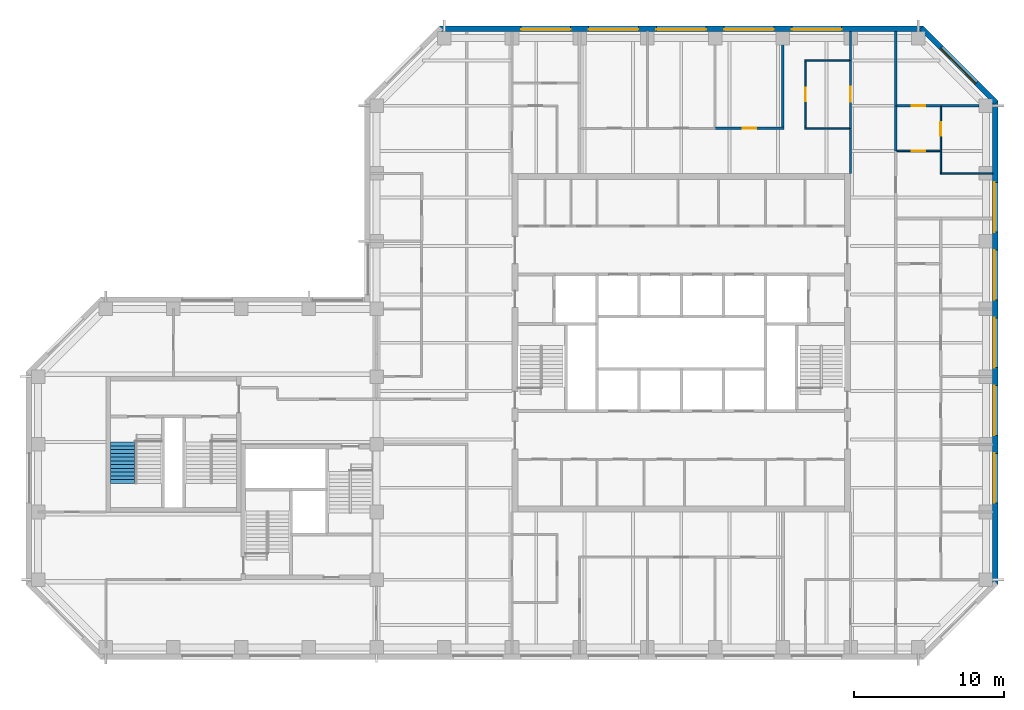
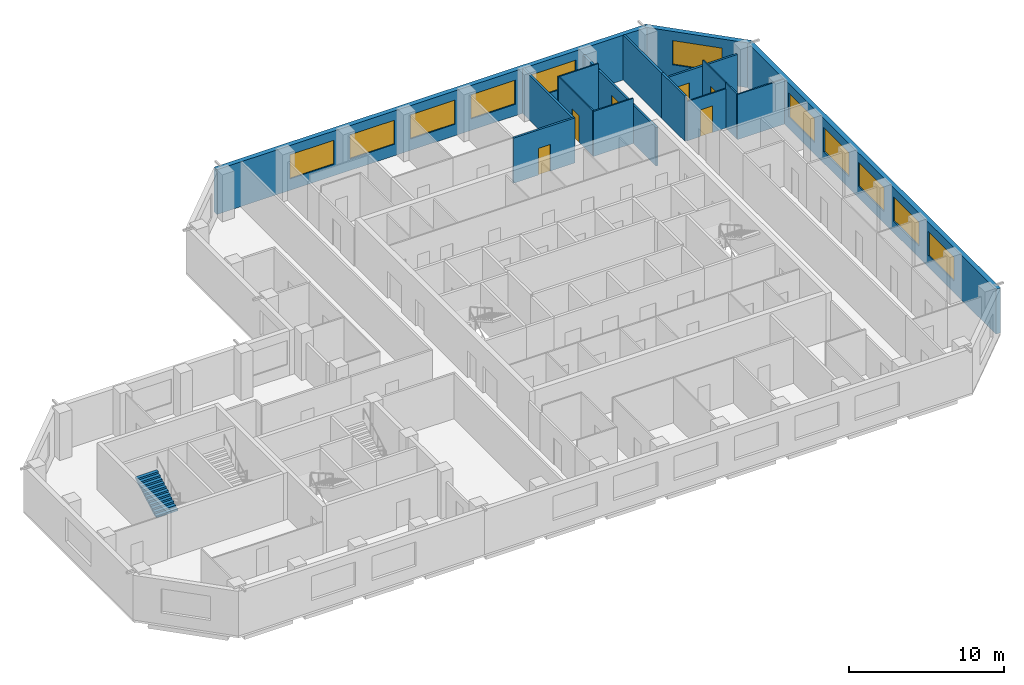
# One storey, part 8 of 10: 19 walls, 11 windows, 6 doors, 1 stair flight, 17 openings, 1 element without a shape of its own.
"""IFC4 building model written with IfcOpenShell, lengths in metres."""

from ifc_helpers import new_model, si_unit, direction, frame, frame_2d, origin, place, context, subcontext, project, spatial, polyline, rectangle, outline, extrude, material, layer, layer_set, constituent, constituent_set, type_object, element, fill, aggregate, save


model = new_model("IFC4")

# Units and contexts
model_context = context("Model", 3, precision=1e-05, world=origin(), true_north=direction((0.0, 1.0)))
body_context = subcontext(model_context, "Body", "Model", "MODEL_VIEW")
ifc_project = project(units=[si_unit("LENGTHUNIT", "METRE"), si_unit("AREAUNIT", "SQUARE_METRE"), si_unit("VOLUMEUNIT", "CUBIC_METRE"), si_unit("PLANEANGLEUNIT", "RADIAN"), si_unit("MASSUNIT", "GRAM", prefix="KILO")], contexts=[model_context])

# Site, building, storey
site_placement = place(None, origin())
site = spatial("IfcSite", under=ifc_project, at=site_placement, CompositionType="ELEMENT")
building_placement = place(site_placement, origin())
building = spatial("IfcBuilding", under=site, at=building_placement, Name="Quoin Convention Tower", CompositionType="ELEMENT")
storey_placement = place(building_placement, frame((0.0, 0.0, 184.699951171875)))
storey = spatial("IfcBuildingStorey", under=building, at=storey_placement, Name="L48", CompositionType="ELEMENT", Elevation=184.699951171875)

# Wall, opening, door
ifc_material_1 = material(Name="Plasterboard")
ifc_layer_1 = layer(ifc_material_1, 0.012451171875, Name="Finish")
ifc_material_2 = material(Name="Steel stud framing", Category="steel")
ifc_layer_2 = layer(ifc_material_2, 0.125, Name="Structure")
ifc_layer_3 = layer(ifc_material_1, 0.012451171875, Name="Finish")
ifc_layer_set_1 = layer_set([ifc_layer_1, ifc_layer_2, ifc_layer_3], Name="Steel stud framing")
wall_type_1 = type_object("IfcWallType", Name="Acoustic partition 150", PredefinedType="PARTITIONING", material=ifc_layer_set_1)
wall_1_placement = place(storey_placement, frame((58.5, 75.0, 0.0), z_axis=(0.0, 0.0, 1.0), x_axis=(1.0, 0.0, 0.0)))
wall_1 = element("IfcWall", 1, at=wall_1_placement, inside=storey, type_object=wall_type_1, Name="pw-L48-037", PredefinedType="PARTITIONING", context=body_context, shape_type="SweptSolid", body=[
    extrude(rectangle(XDim=4.574951171875, YDim=0.14990234375, at=frame_2d((2.28759765625, 0.0))), origin(), (0.0, 0.0, 1.0), 3.550048828125),
])
opening_1_placement = place(wall_1_placement, frame((1.85009765625, 0.0, 0.0)))
opening_1 = element("IfcOpeningElement", 2, at=opening_1_placement, cuts=wall_1, Name="Opening DOH6-11", PredefinedType="OPENING", context=body_context, shape_type="SweptSolid", body=[
    extrude(rectangle(XDim=0.89990234375, YDim=2.10009765625, at=frame_2d((0.449951171875, 1.050048828125))), frame((0.0, 0.0849609375, 0.0), z_axis=(0.0, -1.0, 0.0), x_axis=(1.0, 0.0, 0.0)), (0.0, 0.0, 1.0), 0.169921875),
])
ifc_material_3 = material(Name="Steel door leaf", Category="steel")
door_type_1 = type_object("IfcDoorType", Name="Office door 900 x 2100", OperationType="SINGLE_SWING_RIGHT", PredefinedType="DOOR", material=ifc_material_3)
door_1_placement = place(opening_1_placement, frame((0.89990234375, 0.0, 0.0), z_axis=(0.0, 0.0, 1.0), x_axis=(-1.0, 0.0, 0.0)))
door_1 = element("IfcDoor", 3, at=door_1_placement, inside=storey, type_object=door_type_1, Name="dr-L48-30", OperationType="SINGLE_SWING_LEFT", OverallHeight=2.10009765625, OverallWidth=0.89990234375, PredefinedType="DOOR", context=body_context, shape_type="SweptSolid", body=[
    extrude(rectangle(XDim=0.89990234375, YDim=2.10009765625, at=frame_2d((0.449951171875, 1.050048828125))), frame((0.0, 0.02490234375, 0.0), z_axis=(0.0, -1.0, 0.0), x_axis=(1.0, 0.0, 0.0)), (0.0, 0.0, 1.0), 0.050048828125),
])
fill(opening_1, door_1)

# Wall
wall_2_placement = place(storey_placement, frame((63.0, 75.074951171875, 0.0), z_axis=(0.0, 0.0, 1.0), x_axis=(0.0, 1.0, 0.0)))
element("IfcWall", 4, at=wall_2_placement, inside=storey, type_object=wall_type_1, Name="pw-L48-100", PredefinedType="PARTITIONING", context=body_context, shape_type="SweptSolid", body=[
    extrude(rectangle(XDim=6.375, YDim=0.14990234375, at=frame_2d((3.1875, 0.0))), origin(), (0.0, 0.0, 1.0), 3.550048828125),
])

# Wall, opening, door
ifc_layer_4 = layer(ifc_material_1, 0.012451171875, Name="Finish")
ifc_layer_5 = layer(ifc_material_2, 0.125, Name="Structure")
ifc_layer_6 = layer(ifc_material_1, 0.012451171875, Name="Finish")
ifc_layer_set_2 = layer_set([ifc_layer_4, ifc_layer_5, ifc_layer_6], Name="Steel stud framing")
wall_type_2 = type_object("IfcWallType", Name="Acoustic partition 150 under beam 454", PredefinedType="PARTITIONING", material=ifc_layer_set_2)
wall_3_placement = place(storey_placement, frame((70.574951171875, 76.5, 0.0), z_axis=(0.0, 0.0, 1.0), x_axis=(1.0, 0.0, 0.0)))
wall_3 = element("IfcWall", 5, at=wall_3_placement, inside=storey, type_object=wall_type_2, Name="pw-L48-040", PredefinedType="PARTITIONING", context=body_context, shape_type="SweptSolid", body=[
    extrude(rectangle(XDim=2.925048828125, YDim=0.14990234375, at=frame_2d((1.46240234375, 0.0))), origin(), (0.0, 0.0, 1.0), 3.095947265625),
])
opening_2_placement = place(wall_3_placement, frame((1.0, 0.0, 0.0)))
opening_2 = element("IfcOpeningElement", 6, at=opening_2_placement, cuts=wall_3, Name="Opening DOH6-13", PredefinedType="OPENING", context=body_context, shape_type="SweptSolid", body=[
    extrude(rectangle(XDim=0.89990234375, YDim=2.10009765625, at=frame_2d((0.449951171875, 1.050048828125))), frame((0.0, 0.0849609375, 0.0), z_axis=(0.0, -1.0, 0.0), x_axis=(1.0, 0.0, 0.0)), (0.0, 0.0, 1.0), 0.169921875),
])
door_2_placement = place(opening_2_placement, origin())
door_2 = element("IfcDoor", 7, at=door_2_placement, inside=storey, type_object=door_type_1, Name="dr-L48-42", OperationType="SINGLE_SWING_RIGHT", OverallHeight=2.10009765625, OverallWidth=0.89990234375, PredefinedType="DOOR", context=body_context, shape_type="SweptSolid", body=[
    extrude(rectangle(XDim=0.89990234375, YDim=2.10009765625, at=frame_2d((0.449951171875, 1.050048828125))), frame((0.0, 0.02490234375, 0.0), z_axis=(0.0, -1.0, 0.0), x_axis=(1.0, 0.0, 0.0)), (0.0, 0.0, 1.0), 0.050048828125),
])
fill(opening_2, door_2)

# Wall
wall_4_placement = place(storey_placement, frame((73.5, 76.5, 0.0), z_axis=(0.0, 0.0, 1.0), x_axis=(1.0, 0.0, 0.0)))
element("IfcWall", 8, at=wall_4_placement, inside=storey, type_object=wall_type_2, Name="pw-L48-041", PredefinedType="PARTITIONING", context=body_context, shape_type="SweptSolid", body=[
    extrude(rectangle(XDim=2.550048828125, YDim=0.14990234375, at=frame_2d((1.27490234375, 0.0))), origin(), (0.0, 0.0, 1.0), 3.095947265625),
])

# Wall, openings, windows
ifc_material_4 = material(Name="Brick masonry", Category="masonry")
ifc_layer_7 = layer(ifc_material_4, 0.35009765625)
ifc_layer_set_3 = layer_set([ifc_layer_7], Name="Brick masonry")
wall_type_3 = type_object("IfcWallType", Name="Brick facade wall", PredefinedType="STANDARD", material=ifc_layer_set_3)
wall_5_placement = place(storey_placement, frame((77.125, 44.668701171875, 0.0), z_axis=(0.0, 0.0, 1.0), x_axis=(0.0, 1.0, 0.0)))
wall_5 = element("IfcWall", 9, at=wall_5_placement, inside=storey, type_object=wall_type_3, Name="fw-L48-76500_45000", PredefinedType="STANDARD", context=body_context, shape_type="SweptSolid", body=[
    extrude(rectangle(XDim=32.16259765625, YDim=0.35009765625, at=frame_2d((16.081298828125, 0.0))), origin(), (0.0, 0.0, 1.0), 3.525146484375),
])
opening_3_placement = place(wall_5_placement, frame((5.431396484375, 0.0, 0.89990234375)))
opening_3 = element("IfcOpeningElement", 10, at=opening_3_placement, cuts=wall_5, Name="Opening W-02", PredefinedType="OPENING", context=body_context, shape_type="SweptSolid", body=[
    extrude(rectangle(XDim=3.300048828125, YDim=1.89990234375, at=frame_2d((1.64990234375, 0.949951171875))), frame((0.0, 0.18505859375, 0.0), z_axis=(0.0, -1.0, 0.0), x_axis=(1.0, 0.0, 0.0)), (0.0, 0.0, 1.0), 0.3701171875),
])
opening_4_placement = place(wall_5_placement, frame((9.931396484375, 0.0, 0.89990234375)))
opening_4 = element("IfcOpeningElement", 11, at=opening_4_placement, cuts=wall_5, Name="Opening W-02", PredefinedType="OPENING", context=body_context, shape_type="SweptSolid", body=[
    extrude(rectangle(XDim=3.300048828125, YDim=1.89990234375, at=frame_2d((1.64990234375, 0.949951171875))), frame((0.0, 0.18505859375, 0.0), z_axis=(0.0, -1.0, 0.0), x_axis=(1.0, 0.0, 0.0)), (0.0, 0.0, 1.0), 0.3701171875),
])
opening_5_placement = place(wall_5_placement, frame((14.431396484375, 0.0, 0.89990234375)))
opening_5 = element("IfcOpeningElement", 12, at=opening_5_placement, cuts=wall_5, Name="Opening W-02", PredefinedType="OPENING", context=body_context, shape_type="SweptSolid", body=[
    extrude(rectangle(XDim=3.300048828125, YDim=1.89990234375, at=frame_2d((1.64990234375, 0.949951171875))), frame((0.0, 0.18505859375, 0.0), z_axis=(0.0, -1.0, 0.0), x_axis=(1.0, 0.0, 0.0)), (0.0, 0.0, 1.0), 0.3701171875),
])
opening_6_placement = place(wall_5_placement, frame((18.931396484375, 0.0, 0.89990234375)))
opening_6 = element("IfcOpeningElement", 13, at=opening_6_placement, cuts=wall_5, Name="Opening W-02", PredefinedType="OPENING", context=body_context, shape_type="SweptSolid", body=[
    extrude(rectangle(XDim=3.300048828125, YDim=1.89990234375, at=frame_2d((1.64990234375, 0.949951171875))), frame((0.0, 0.18505859375, 0.0), z_axis=(0.0, -1.0, 0.0), x_axis=(1.0, 0.0, 0.0)), (0.0, 0.0, 1.0), 0.3701171875),
])
opening_7_placement = place(wall_5_placement, frame((23.431396484375, 0.0, 0.89990234375)))
opening_7 = element("IfcOpeningElement", 14, at=opening_7_placement, cuts=wall_5, Name="Opening W-02", PredefinedType="OPENING", context=body_context, shape_type="SweptSolid", body=[
    extrude(rectangle(XDim=3.300048828125, YDim=1.89990234375, at=frame_2d((1.64990234375, 0.949951171875))), frame((0.0, 0.18505859375, 0.0), z_axis=(0.0, -1.0, 0.0), x_axis=(1.0, 0.0, 0.0)), (0.0, 0.0, 1.0), 0.3701171875),
])
ifc_material_5 = material(Name="Aluminium", Category="aluminium")
ifc_constituent_1 = constituent(ifc_material_5, Name="Frame")
ifc_material_6 = material(Name="Insulated glass", Category="glass")
ifc_constituent_2 = constituent(ifc_material_6, Name="Glazing")
ifc_constituent_set = constituent_set(constituents=[ifc_constituent_1, ifc_constituent_2], Name="Aluminium")
window_type = type_object("IfcWindowType", Name="Office window", PartitioningType="DOUBLE_PANEL_VERTICAL", PredefinedType="WINDOW", material=ifc_constituent_set)
window_1_placement = place(opening_3_placement, origin())
window_1 = element("IfcWindow", 15, at=window_1_placement, inside=storey, type_object=window_type, Name="win-L48-77125_51750", OverallHeight=1.89990234375, OverallWidth=3.300048828125, PartitioningType="SINGLE_PANEL", PredefinedType="WINDOW", context=body_context, shape_type="SweptSolid", body=[
    extrude(rectangle(XDim=3.300048828125, YDim=1.89990234375, at=frame_2d((1.64990234375, 0.949951171875))), frame((0.0, 0.0849609375, 0.0), z_axis=(0.0, -1.0, 0.0), x_axis=(1.0, 0.0, 0.0)), (0.0, 0.0, 1.0), 0.06005859375),
])
fill(opening_3, window_1)
window_2_placement = place(opening_4_placement, origin())
window_2 = element("IfcWindow", 16, at=window_2_placement, inside=storey, type_object=window_type, Name="win-L48-77125_56250", OverallHeight=1.89990234375, OverallWidth=3.300048828125, PartitioningType="SINGLE_PANEL", PredefinedType="WINDOW", context=body_context, shape_type="SweptSolid", body=[
    extrude(rectangle(XDim=3.300048828125, YDim=1.89990234375, at=frame_2d((1.64990234375, 0.949951171875))), frame((0.0, 0.0849609375, 0.0), z_axis=(0.0, -1.0, 0.0), x_axis=(1.0, 0.0, 0.0)), (0.0, 0.0, 1.0), 0.06005859375),
])
fill(opening_4, window_2)
window_3_placement = place(opening_5_placement, origin())
window_3 = element("IfcWindow", 17, at=window_3_placement, inside=storey, type_object=window_type, Name="win-L48-77125_60750", OverallHeight=1.89990234375, OverallWidth=3.300048828125, PartitioningType="SINGLE_PANEL", PredefinedType="WINDOW", context=body_context, shape_type="SweptSolid", body=[
    extrude(rectangle(XDim=3.300048828125, YDim=1.89990234375, at=frame_2d((1.64990234375, 0.949951171875))), frame((0.0, 0.0849609375, 0.0), z_axis=(0.0, -1.0, 0.0), x_axis=(1.0, 0.0, 0.0)), (0.0, 0.0, 1.0), 0.06005859375),
])
fill(opening_5, window_3)
window_4_placement = place(opening_6_placement, origin())
window_4 = element("IfcWindow", 18, at=window_4_placement, inside=storey, type_object=window_type, Name="win-L48-77125_65250", OverallHeight=1.89990234375, OverallWidth=3.300048828125, PartitioningType="SINGLE_PANEL", PredefinedType="WINDOW", context=body_context, shape_type="SweptSolid", body=[
    extrude(rectangle(XDim=3.300048828125, YDim=1.89990234375, at=frame_2d((1.64990234375, 0.949951171875))), frame((0.0, 0.0849609375, 0.0), z_axis=(0.0, -1.0, 0.0), x_axis=(1.0, 0.0, 0.0)), (0.0, 0.0, 1.0), 0.06005859375),
])
fill(opening_6, window_4)
window_5_placement = place(opening_7_placement, origin())
window_5 = element("IfcWindow", 19, at=window_5_placement, inside=storey, type_object=window_type, Name="win-L48-77125_69750", OverallHeight=1.89990234375, OverallWidth=3.300048828125, PartitioningType="SINGLE_PANEL", PredefinedType="WINDOW", context=body_context, shape_type="SweptSolid", body=[
    extrude(rectangle(XDim=3.300048828125, YDim=1.89990234375, at=frame_2d((1.64990234375, 0.949951171875))), frame((0.0, 0.0849609375, 0.0), z_axis=(0.0, -1.0, 0.0), x_axis=(1.0, 0.0, 0.0)), (0.0, 0.0, 1.0), 0.06005859375),
])
fill(opening_7, window_5)

# Wall, opening, window
wall_6_placement = place(storey_placement, frame((77.17626953125, 76.70751953125, 0.0), z_axis=(0.0, 0.0, 1.0), x_axis=(-0.707106781187, 0.707106781187, 0.0)))
wall_6 = element("IfcWall", 20, at=wall_6_placement, inside=storey, type_object=wall_type_3, Name="fw-L48-76500_76500", PredefinedType="STANDARD", context=body_context, shape_type="SweptSolid", body=[
    extrude(rectangle(XDim=7.02685546875, YDim=0.35009765625, at=frame_2d((3.513427734375, 0.0))), origin(), (0.0, 0.0, 1.0), 3.525146484375),
])
opening_8_placement = place(wall_6_placement, frame((1.86328125, 0.0, 0.89990234375)))
opening_8 = element("IfcOpeningElement", 21, at=opening_8_placement, cuts=wall_6, Name="Opening W-02", PredefinedType="OPENING", context=body_context, shape_type="SweptSolid", body=[
    extrude(rectangle(XDim=3.300048828125, YDim=1.89990234375, at=frame_2d((1.64990234375, 0.949951171875))), frame((0.0, 0.18505859375, 0.0), z_axis=(0.0, -1.0, 0.0), x_axis=(1.0, 0.0, 0.0)), (0.0, 0.0, 1.0), 0.3701171875),
])
window_6_placement = place(opening_8_placement, origin())
window_6 = element("IfcWindow", 22, at=window_6_placement, inside=storey, type_object=window_type, Name="win-L48-74692_79192", OverallHeight=1.89990234375, OverallWidth=3.300048828125, PartitioningType="SINGLE_PANEL", PredefinedType="WINDOW", context=body_context, shape_type="SweptSolid", body=[
    extrude(rectangle(XDim=3.300048828125, YDim=1.89990234375, at=frame_2d((1.64990234375, 0.949951171875))), frame((0.0, 0.0849609375, 0.0), z_axis=(0.0, -1.0, 0.0), x_axis=(1.0, 0.0, 0.0)), (0.0, 0.0, 1.0), 0.06005859375),
])
fill(opening_8, window_6)

# Wall, openings, windows
wall_7_placement = place(storey_placement, frame((72.331298828125, 81.625, 0.0), z_axis=(0.0, 0.0, 1.0), x_axis=(-1.0, 0.0, 0.0)))
wall_7 = element("IfcWall", 23, at=wall_7_placement, inside=storey, type_object=wall_type_3, Name="fw-L48-72000_81000", PredefinedType="STANDARD", context=body_context, shape_type="SweptSolid", body=[
    extrude(rectangle(XDim=32.16259765625, YDim=0.35009765625, at=frame_2d((16.081298828125, 0.0))), origin(), (0.0, 0.0, 1.0), 3.525146484375),
])
opening_9_placement = place(wall_7_placement, frame((5.431396484375, 0.0, 0.89990234375)))
opening_9 = element("IfcOpeningElement", 24, at=opening_9_placement, cuts=wall_7, Name="Opening W-02", PredefinedType="OPENING", context=body_context, shape_type="SweptSolid", body=[
    extrude(rectangle(XDim=3.300048828125, YDim=1.89990234375, at=frame_2d((1.64990234375, 0.949951171875))), frame((0.0, 0.18505859375, 0.0), z_axis=(0.0, -1.0, 0.0), x_axis=(1.0, 0.0, 0.0)), (0.0, 0.0, 1.0), 0.3701171875),
])
opening_10_placement = place(wall_7_placement, frame((9.931396484375, 0.0, 0.89990234375)))
opening_10 = element("IfcOpeningElement", 25, at=opening_10_placement, cuts=wall_7, Name="Opening W-02", PredefinedType="OPENING", context=body_context, shape_type="SweptSolid", body=[
    extrude(rectangle(XDim=3.300048828125, YDim=1.89990234375, at=frame_2d((1.64990234375, 0.949951171875))), frame((0.0, 0.18505859375, 0.0), z_axis=(0.0, -1.0, 0.0), x_axis=(1.0, 0.0, 0.0)), (0.0, 0.0, 1.0), 0.3701171875),
])
opening_11_placement = place(wall_7_placement, frame((14.431396484375, 0.0, 0.89990234375)))
opening_11 = element("IfcOpeningElement", 26, at=opening_11_placement, cuts=wall_7, Name="Opening W-02", PredefinedType="OPENING", context=body_context, shape_type="SweptSolid", body=[
    extrude(rectangle(XDim=3.300048828125, YDim=1.89990234375, at=frame_2d((1.64990234375, 0.949951171875))), frame((0.0, 0.18505859375, 0.0), z_axis=(0.0, -1.0, 0.0), x_axis=(1.0, 0.0, 0.0)), (0.0, 0.0, 1.0), 0.3701171875),
])
opening_12_placement = place(wall_7_placement, frame((18.931396484375, 0.0, 0.89990234375)))
opening_12 = element("IfcOpeningElement", 27, at=opening_12_placement, cuts=wall_7, Name="Opening W-02", PredefinedType="OPENING", context=body_context, shape_type="SweptSolid", body=[
    extrude(rectangle(XDim=3.300048828125, YDim=1.89990234375, at=frame_2d((1.64990234375, 0.949951171875))), frame((0.0, 0.18505859375, 0.0), z_axis=(0.0, -1.0, 0.0), x_axis=(1.0, 0.0, 0.0)), (0.0, 0.0, 1.0), 0.3701171875),
])
opening_13_placement = place(wall_7_placement, frame((23.431396484375, 0.0, 0.89990234375)))
opening_13 = element("IfcOpeningElement", 28, at=opening_13_placement, cuts=wall_7, Name="Opening W-02", PredefinedType="OPENING", context=body_context, shape_type="SweptSolid", body=[
    extrude(rectangle(XDim=3.300048828125, YDim=1.89990234375, at=frame_2d((1.64990234375, 0.949951171875))), frame((0.0, 0.18505859375, 0.0), z_axis=(0.0, -1.0, 0.0), x_axis=(1.0, 0.0, 0.0)), (0.0, 0.0, 1.0), 0.3701171875),
])
window_7_placement = place(opening_9_placement, origin())
window_7 = element("IfcWindow", 29, at=window_7_placement, inside=storey, type_object=window_type, Name="win-L48-65250_81625", OverallHeight=1.89990234375, OverallWidth=3.300048828125, PartitioningType="SINGLE_PANEL", PredefinedType="WINDOW", context=body_context, shape_type="SweptSolid", body=[
    extrude(rectangle(XDim=3.300048828125, YDim=1.89990234375, at=frame_2d((1.64990234375, 0.949951171875))), frame((0.0, 0.0849609375, 0.0), z_axis=(0.0, -1.0, 0.0), x_axis=(1.0, 0.0, 0.0)), (0.0, 0.0, 1.0), 0.06005859375),
])
fill(opening_9, window_7)
window_8_placement = place(opening_10_placement, origin())
window_8 = element("IfcWindow", 30, at=window_8_placement, inside=storey, type_object=window_type, Name="win-L48-60750_81625", OverallHeight=1.89990234375, OverallWidth=3.300048828125, PartitioningType="SINGLE_PANEL", PredefinedType="WINDOW", context=body_context, shape_type="SweptSolid", body=[
    extrude(rectangle(XDim=3.300048828125, YDim=1.89990234375, at=frame_2d((1.64990234375, 0.949951171875))), frame((0.0, 0.0849609375, 0.0), z_axis=(0.0, -1.0, 0.0), x_axis=(1.0, 0.0, 0.0)), (0.0, 0.0, 1.0), 0.06005859375),
])
fill(opening_10, window_8)
window_9_placement = place(opening_11_placement, origin())
window_9 = element("IfcWindow", 31, at=window_9_placement, inside=storey, type_object=window_type, Name="win-L48-56250_81625", OverallHeight=1.89990234375, OverallWidth=3.300048828125, PartitioningType="SINGLE_PANEL", PredefinedType="WINDOW", context=body_context, shape_type="SweptSolid", body=[
    extrude(rectangle(XDim=3.300048828125, YDim=1.89990234375, at=frame_2d((1.64990234375, 0.949951171875))), frame((0.0, 0.0849609375, 0.0), z_axis=(0.0, -1.0, 0.0), x_axis=(1.0, 0.0, 0.0)), (0.0, 0.0, 1.0), 0.06005859375),
])
fill(opening_11, window_9)
window_10_placement = place(opening_12_placement, origin())
window_10 = element("IfcWindow", 32, at=window_10_placement, inside=storey, type_object=window_type, Name="win-L48-51750_81625", OverallHeight=1.89990234375, OverallWidth=3.300048828125, PartitioningType="SINGLE_PANEL", PredefinedType="WINDOW", context=body_context, shape_type="SweptSolid", body=[
    extrude(rectangle(XDim=3.300048828125, YDim=1.89990234375, at=frame_2d((1.64990234375, 0.949951171875))), frame((0.0, 0.0849609375, 0.0), z_axis=(0.0, -1.0, 0.0), x_axis=(1.0, 0.0, 0.0)), (0.0, 0.0, 1.0), 0.06005859375),
])
fill(opening_12, window_10)
window_11_placement = place(opening_13_placement, origin())
window_11 = element("IfcWindow", 33, at=window_11_placement, inside=storey, type_object=window_type, Name="win-L48-47250_81625", OverallHeight=1.89990234375, OverallWidth=3.300048828125, PartitioningType="SINGLE_PANEL", PredefinedType="WINDOW", context=body_context, shape_type="SweptSolid", body=[
    extrude(rectangle(XDim=3.300048828125, YDim=1.89990234375, at=frame_2d((1.64990234375, 0.949951171875))), frame((0.0, 0.0849609375, 0.0), z_axis=(0.0, -1.0, 0.0), x_axis=(1.0, 0.0, 0.0)), (0.0, 0.0, 1.0), 0.06005859375),
])
fill(opening_13, window_11)

# Walls
ifc_layer_8 = layer(ifc_material_1, 0.012451171875, Name="Finish")
ifc_layer_9 = layer(ifc_material_2, 0.125, Name="Structure")
ifc_layer_10 = layer(ifc_material_1, 0.012451171875, Name="Finish")
ifc_layer_set_4 = layer_set([ifc_layer_8, ifc_layer_9, ifc_layer_10], Name="Steel stud framing")
wall_type_4 = type_object("IfcWallType", Name="Corridor wall 150", PredefinedType="PARTITIONING", material=ifc_layer_set_4)
wall_8_placement = place(storey_placement, frame((70.5, 73.5, 0.0), z_axis=(0.0, 0.0, 1.0), x_axis=(0.0, 1.0, 0.0)))
element("IfcWall", 34, at=wall_8_placement, inside=storey, type_object=wall_type_4, Name="pw-L48-093", PredefinedType="PARTITIONING", context=body_context, shape_type="SweptSolid", body=[
    extrude(rectangle(XDim=3.0, YDim=0.14990234375, at=frame_2d((1.5, 0.0))), origin(), (0.0, 0.0, 1.0), 3.550048828125),
])
wall_9_placement = place(storey_placement, frame((70.5, 76.5, 0.0), z_axis=(0.0, 0.0, 1.0), x_axis=(0.0, 1.0, 0.0)))
element("IfcWall", 35, at=wall_9_placement, inside=storey, type_object=wall_type_4, Name="pw-L48-102", PredefinedType="PARTITIONING", context=body_context, shape_type="SweptSolid", body=[
    extrude(rectangle(XDim=4.949951171875, YDim=0.14990234375, at=frame_2d((2.47509765625, 0.0))), origin(), (0.0, 0.0, 1.0), 3.550048828125),
])
ifc_layer_11 = layer(ifc_material_1, 0.012451171875, Name="Finish")
ifc_layer_12 = layer(ifc_material_2, 0.125, Name="Structure")
ifc_layer_13 = layer(ifc_material_1, 0.012451171875, Name="Finish")
ifc_layer_set_5 = layer_set([ifc_layer_11, ifc_layer_12, ifc_layer_13], Name="Steel stud framing")
wall_type_5 = type_object("IfcWallType", Name="Corridor wall 150 under beam 528", PredefinedType="PARTITIONING", material=ifc_layer_set_5)
wall_10_placement = place(storey_placement, frame((67.5, 72.0, 0.0), z_axis=(0.0, 0.0, 1.0), x_axis=(0.0, 1.0, 0.0)))
element("IfcWall", 36, at=wall_10_placement, inside=storey, type_object=wall_type_5, Name="pw-L48-091", PredefinedType="PARTITIONING", context=body_context, shape_type="SweptSolid", body=[
    extrude(rectangle(XDim=3.0, YDim=0.14990234375, at=frame_2d((1.5, 0.0))), origin(), (0.0, 0.0, 1.0), 3.02197265625),
])

# Wall, opening, door
wall_11_placement = place(storey_placement, frame((67.5, 75.0, 0.0), z_axis=(0.0, 0.0, 1.0), x_axis=(0.0, 1.0, 0.0)))
wall_11 = element("IfcWall", 37, at=wall_11_placement, inside=storey, type_object=wall_type_5, Name="pw-L48-096", PredefinedType="PARTITIONING", context=body_context, shape_type="SweptSolid", body=[
    extrude(rectangle(XDim=4.5, YDim=0.14990234375, at=frame_2d((2.25, 0.0))), origin(), (0.0, 0.0, 1.0), 3.02197265625),
])
opening_14_placement = place(wall_11_placement, frame((1.75, 0.0, 0.0)))
opening_14 = element("IfcOpeningElement", 38, at=opening_14_placement, cuts=wall_11, Name="Opening DOH6-32", PredefinedType="OPENING", context=body_context, shape_type="SweptSolid", body=[
    extrude(rectangle(XDim=1.0, YDim=2.10009765625, at=frame_2d((0.5, 1.050048828125))), frame((0.0, 0.0849609375, 0.0), z_axis=(0.0, -1.0, 0.0), x_axis=(1.0, 0.0, 0.0)), (0.0, 0.0, 1.0), 0.169921875),
])
door_type_2 = type_object("IfcDoorType", Name="Tenancy entrance door 1000 x 2100", OperationType="DOUBLE_DOOR_SINGLE_SWING", PredefinedType="DOOR", material=ifc_material_3)
door_3_placement = place(opening_14_placement, origin())
door_3 = element("IfcDoor", 39, at=door_3_placement, inside=storey, type_object=door_type_2, Name="dr-L48-26", OperationType="DOUBLE_DOOR_SINGLE_SWING", OverallHeight=2.10009765625, OverallWidth=1.0, PredefinedType="DOOR", context=body_context, shape_type="SweptSolid", body=[
    extrude(rectangle(XDim=1.0, YDim=2.10009765625, at=frame_2d((0.5, 1.050048828125))), frame((0.0, 0.02490234375, 0.0), z_axis=(0.0, -1.0, 0.0), x_axis=(1.0, 0.0, 0.0)), (0.0, 0.0, 1.0), 0.050048828125),
])
fill(opening_14, door_3)

# Walls
wall_12_placement = place(storey_placement, frame((67.5, 79.5, 0.0), z_axis=(0.0, 0.0, 1.0), x_axis=(0.0, 1.0, 0.0)))
element("IfcWall", 40, at=wall_12_placement, inside=storey, type_object=wall_type_5, Name="pw-L48-105", PredefinedType="PARTITIONING", context=body_context, shape_type="SweptSolid", body=[
    extrude(rectangle(XDim=1.949951171875, YDim=0.14990234375, at=frame_2d((0.97509765625, 0.0))), origin(), (0.0, 0.0, 1.0), 3.02197265625),
])
ifc_layer_14 = layer(ifc_material_1, 0.012451171875, Name="Finish")
ifc_layer_15 = layer(ifc_material_2, 0.074951171875, Name="Structure")
ifc_layer_16 = layer(ifc_material_1, 0.012451171875, Name="Finish")
ifc_layer_set_6 = layer_set([ifc_layer_14, ifc_layer_15, ifc_layer_16], Name="Steel stud framing")
wall_type_6 = type_object("IfcWallType", Name="Stud partition 100", PredefinedType="PARTITIONING", material=ifc_layer_set_6)
wall_13_placement = place(storey_placement, frame((73.449951171875, 72.0, 0.0), z_axis=(0.0, 0.0, 1.0), x_axis=(1.0, 0.0, 0.0)))
element("IfcWall", 41, at=wall_13_placement, inside=storey, type_object=wall_type_6, Name="pw-L48-033", PredefinedType="PARTITIONING", context=body_context, shape_type="SweptSolid", body=[
    extrude(rectangle(XDim=3.5, YDim=0.10009765625, at=frame_2d((1.75, 0.0))), origin(), (0.0, 0.0, 1.0), 3.550048828125),
])
for number, where, z_axis, x_axis, name in (
    (42, (64.449951171875, 75.0, 0.0), (0.0, 0.0, 1.0), (1.0, 0.0, 0.0), "pw-L48-038"),
    (43, (64.449951171875, 79.5, 0.0), (0.0, 0.0, 1.0), (1.0, 0.0, 0.0), "pw-L48-043"),
):
    element("IfcWall", number, at=place(storey_placement, frame(where, z_axis=z_axis, x_axis=x_axis)), inside=storey, type_object=wall_type_6, Name=name, PredefinedType="PARTITIONING", context=body_context, shape_type="SweptSolid", body=[
        extrude(rectangle(XDim=2.97509765625, YDim=0.10009765625, at=frame_2d((1.487548828125, 0.0))), origin(), (0.0, 0.0, 1.0), 3.550048828125),
    ])
wall_14_placement = place(storey_placement, frame((73.5, 72.050048828125, 0.0), z_axis=(0.0, 0.0, 1.0), x_axis=(0.0, 1.0, 0.0)))
element("IfcWall", 44, at=wall_14_placement, inside=storey, type_object=wall_type_6, Name="pw-L48-092", PredefinedType="PARTITIONING", context=body_context, shape_type="SweptSolid", body=[
    extrude(rectangle(XDim=1.449951171875, YDim=0.10009765625, at=frame_2d((0.72509765625, 0.0))), origin(), (0.0, 0.0, 1.0), 3.550048828125),
])

# Wall, opening, door
wall_15_placement = place(storey_placement, frame((73.5, 73.5, 0.0), z_axis=(0.0, 0.0, 1.0), x_axis=(0.0, 1.0, 0.0)))
wall_15 = element("IfcWall", 45, at=wall_15_placement, inside=storey, type_object=wall_type_6, Name="pw-L48-094", PredefinedType="PARTITIONING", context=body_context, shape_type="SweptSolid", body=[
    extrude(rectangle(XDim=2.925048828125, YDim=0.10009765625, at=frame_2d((1.46240234375, 0.0))), origin(), (0.0, 0.0, 1.0), 3.550048828125),
])
opening_15_placement = place(wall_15_placement, frame((1.0, 0.0, 0.0)))
opening_15 = element("IfcOpeningElement", 46, at=opening_15_placement, cuts=wall_15, Name="Opening DOH6-31", PredefinedType="OPENING", context=body_context, shape_type="SweptSolid", body=[
    extrude(rectangle(XDim=0.89990234375, YDim=2.10009765625, at=frame_2d((0.449951171875, 1.050048828125))), frame((0.0, 0.06005859375, 0.0), z_axis=(0.0, -1.0, 0.0), x_axis=(1.0, 0.0, 0.0)), (0.0, 0.0, 1.0), 0.1201171875),
])
door_4_placement = place(opening_15_placement, frame((0.89990234375, 0.0, 0.0), z_axis=(0.0, 0.0, 1.0), x_axis=(-1.0, 0.0, 0.0)))
door_4 = element("IfcDoor", 47, at=door_4_placement, inside=storey, type_object=door_type_1, Name="dr-L48-41", OperationType="SINGLE_SWING_LEFT", OverallHeight=2.10009765625, OverallWidth=0.89990234375, PredefinedType="DOOR", context=body_context, shape_type="SweptSolid", body=[
    extrude(rectangle(XDim=0.89990234375, YDim=2.10009765625, at=frame_2d((0.449951171875, 1.050048828125))), frame((0.0, 0.02490234375, 0.0), z_axis=(0.0, -1.0, 0.0), x_axis=(1.0, 0.0, 0.0)), (0.0, 0.0, 1.0), 0.050048828125),
])
fill(opening_15, door_4)

wall_16_placement = place(storey_placement, frame((64.5, 75.050048828125, 0.0), z_axis=(0.0, 0.0, 1.0), x_axis=(0.0, 1.0, 0.0)))
wall_16 = element("IfcWall", 48, at=wall_16_placement, inside=storey, type_object=wall_type_6, Name="pw-L48-098", PredefinedType="PARTITIONING", context=body_context, shape_type="SweptSolid", body=[
    extrude(rectangle(XDim=4.39990234375, YDim=0.10009765625, at=frame_2d((2.199951171875, 0.0))), origin(), (0.0, 0.0, 1.0), 3.550048828125),
])
opening_16_placement = place(wall_16_placement, frame((1.75, 0.0, 0.0)))
opening_16 = element("IfcOpeningElement", 49, at=opening_16_placement, cuts=wall_16, Name="Opening DOH6-33", PredefinedType="OPENING", context=body_context, shape_type="SweptSolid", body=[
    extrude(rectangle(XDim=0.89990234375, YDim=2.10009765625, at=frame_2d((0.449951171875, 1.050048828125))), frame((0.0, 0.06005859375, 0.0), z_axis=(0.0, -1.0, 0.0), x_axis=(1.0, 0.0, 0.0)), (0.0, 0.0, 1.0), 0.1201171875),
])
door_5_placement = place(opening_16_placement, origin())
door_5 = element("IfcDoor", 50, at=door_5_placement, inside=storey, type_object=door_type_1, Name="dr-L48-27", OperationType="SINGLE_SWING_RIGHT", OverallHeight=2.10009765625, OverallWidth=0.89990234375, PredefinedType="DOOR", context=body_context, shape_type="SweptSolid", body=[
    extrude(rectangle(XDim=0.89990234375, YDim=2.10009765625, at=frame_2d((0.449951171875, 1.050048828125))), frame((0.0, 0.02490234375, 0.0), z_axis=(0.0, -1.0, 0.0), x_axis=(1.0, 0.0, 0.0)), (0.0, 0.0, 1.0), 0.050048828125),
])
fill(opening_16, door_5)

ifc_layer_17 = layer(ifc_material_1, 0.012451171875, Name="Finish")
ifc_layer_18 = layer(ifc_material_2, 0.074951171875, Name="Structure")
ifc_layer_19 = layer(ifc_material_1, 0.012451171875, Name="Finish")
ifc_layer_set_7 = layer_set([ifc_layer_17, ifc_layer_18, ifc_layer_19], Name="Steel stud framing")
wall_type_7 = type_object("IfcWallType", Name="Stud partition 100 under beam 454", PredefinedType="PARTITIONING", material=ifc_layer_set_7)
wall_17_placement = place(storey_placement, frame((70.574951171875, 73.5, 0.0), z_axis=(0.0, 0.0, 1.0), x_axis=(1.0, 0.0, 0.0)))
wall_17 = element("IfcWall", 51, at=wall_17_placement, inside=storey, type_object=wall_type_7, Name="pw-L48-034", PredefinedType="PARTITIONING", context=body_context, shape_type="SweptSolid", body=[
    extrude(rectangle(XDim=2.875, YDim=0.10009765625, at=frame_2d((1.4375, 0.0))), origin(), (0.0, 0.0, 1.0), 3.095947265625),
])
opening_17_placement = place(wall_17_placement, frame((1.0, 0.0, 0.0)))
opening_17 = element("IfcOpeningElement", 52, at=opening_17_placement, cuts=wall_17, Name="Opening DOH6-08", PredefinedType="OPENING", context=body_context, shape_type="SweptSolid", body=[
    extrude(rectangle(XDim=0.89990234375, YDim=2.10009765625, at=frame_2d((0.449951171875, 1.050048828125))), frame((0.0, 0.06005859375, 0.0), z_axis=(0.0, -1.0, 0.0), x_axis=(1.0, 0.0, 0.0)), (0.0, 0.0, 1.0), 0.1201171875),
])
door_6_placement = place(opening_17_placement, frame((0.89990234375, 0.0, 0.0), z_axis=(0.0, 0.0, 1.0), x_axis=(-1.0, 0.0, 0.0)))
door_6 = element("IfcDoor", 53, at=door_6_placement, inside=storey, type_object=door_type_1, Name="dr-L48-40", OperationType="SINGLE_SWING_LEFT", OverallHeight=2.10009765625, OverallWidth=0.89990234375, PredefinedType="DOOR", context=body_context, shape_type="SweptSolid", body=[
    extrude(rectangle(XDim=0.89990234375, YDim=2.10009765625, at=frame_2d((0.449951171875, 1.050048828125))), frame((0.0, 0.02490234375, 0.0), z_axis=(0.0, -1.0, 0.0), x_axis=(1.0, 0.0, 0.0)), (0.0, 0.0, 1.0), 0.050048828125),
])
fill(opening_17, door_6)

# Stair, stair flight
ifc_material_7 = material(Name="Concrete C40", Category="concrete")
stair_type = type_object("IfcStairType", Name="Exit stair two-flight 1600", PredefinedType="HALF_TURN_STAIR", material=ifc_material_7)
stair_placement = place(storey_placement, origin())
stair = element("IfcStair", 54, at=stair_placement, inside=storey, type_object=stair_type, Name="SD11 L48", PredefinedType="HALF_TURN_STAIR")
stair_flight_type = type_object("IfcStairFlightType", Name="Stair flight 1600", PredefinedType="STRAIGHT", material=ifc_material_7)
stair_flight_placement = place(storey_placement, frame((19.125, 51.39990234375, 1.992431640625), z_axis=(0.0, 0.0, 1.0), x_axis=(0.0, 1.0, 0.0)))
stair_flight = element("IfcStairFlight", 55, at=stair_flight_placement, type_object=stair_flight_type, Name="ST11 flight 2", NumberOfRisers=12, NumberOfTreads=11, PredefinedType="STRAIGHT", RiserHeight=0.142307692, TreadLength=0.25, context=body_context, shape_type="SweptSolid", body=[
    extrude(outline(polyline([(0.0, 0.0), (0.0, 0.142333984375), (0.25, 0.142333984375), (0.25, 0.28466796875), (0.5, 0.28466796875), (0.5, 0.427001953125), (0.75, 0.427001953125), (0.75, 0.5693359375), (1.0, 0.5693359375), (1.0, 0.71142578125), (1.25, 0.71142578125), (1.25, 0.853759765625), (1.5, 0.853759765625), (1.5, 0.99609375), (1.75, 0.99609375), (1.75, 1.138427734375), (2.0, 1.138427734375), (2.0, 1.28076171875), (2.25, 1.28076171875), (2.25, 1.423095703125), (2.5, 1.423095703125), (2.5, 1.5654296875), (2.75, 1.5654296875), (2.75, 1.707763671875), (2.75, 1.42724609375), (0.242919921875, 0.0), (0.0, 0.0)])), frame((0.0, 0.800048828125, 0.0), z_axis=(0.0, -1.0, 0.0), x_axis=(1.0, 0.0, 0.0)), (0.0, 0.0, 1.0), 1.60009765625),
])
aggregate(stair, [stair_flight])

save(model, "model.ifc")
